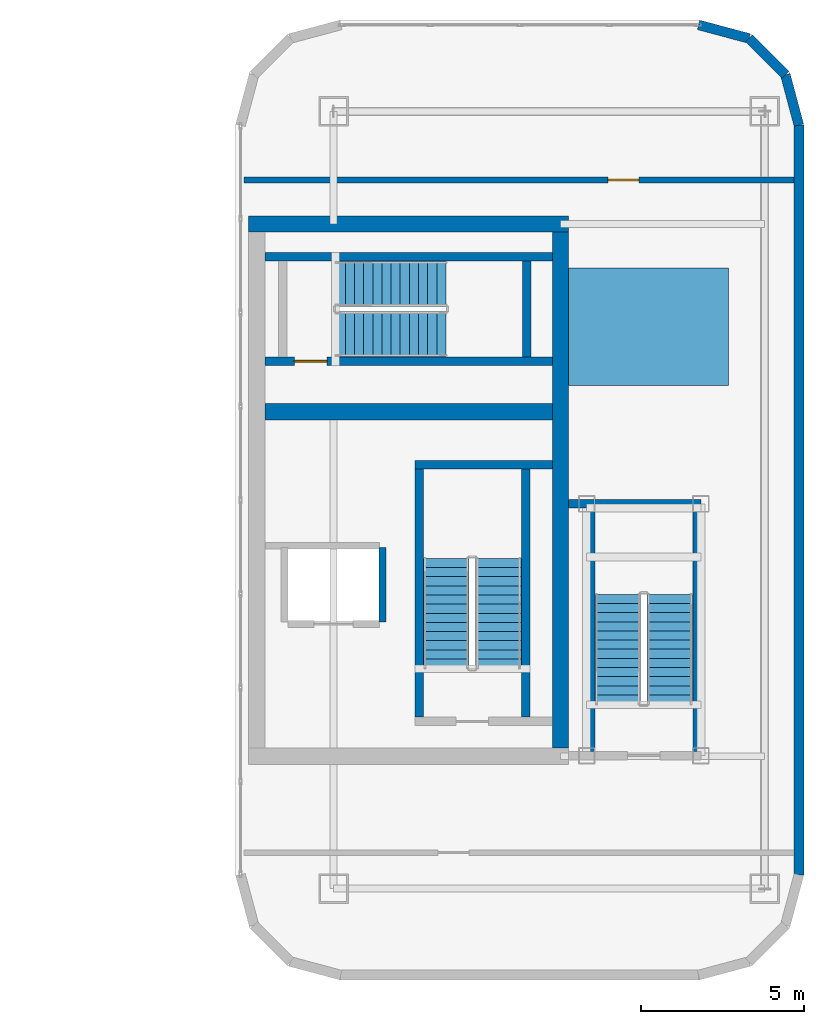
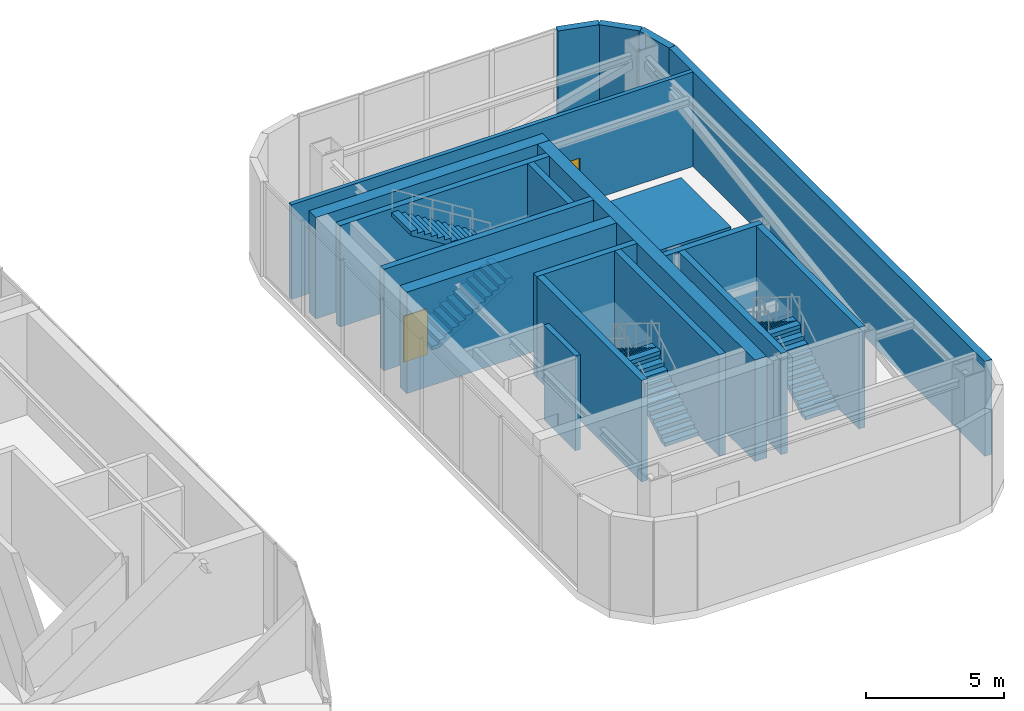
# One storey, part 12 of 13: 18 walls, 6 stair flights, 2 doors, 1 discrete accessory, 2 openings, 3 elements without a shape of their own.
"""IFC4 building model written with IfcOpenShell, lengths in metres."""

import ifcopenshell
import ifcopenshell.guid

model = None  # the IFC model being written
_history = None  # IfcOwnerHistory: only IFC2X3 demands one
_inside = {}  # id of a spatial element -> (the spatial element, [elements in it])
_under = {}  # id of a project, library or spatial element -> (it, [spatial elements below it])
_declared = {}  # id of a project -> (the project, [libraries it declares])
_typed = {}  # id of a type object -> (the type object, [elements of that type])
_made_of = {}  # id of a material, layer set ... -> (it, [elements and type objects made of it])


def new_model(schema):
    """Start an empty IFC model of exactly this schema.

    Asked for "IFC4X3", IfcOpenShell would pick the latest addendum, in which some entities
    have other attributes; the version numbers below select the first issue.
    IFC2X3 requires an IfcOwnerHistory on every rooted entity: one is made here for all.
    """
    global model, _history
    if schema == "IFC4X3":
        model = ifcopenshell.file(schema_version=(4, 3, 0, 0))
    else:
        model = ifcopenshell.file(schema=schema)
    _inside.clear()
    _under.clear()
    _declared.clear()
    _typed.clear()
    _made_of.clear()
    _history = None
    if model.schema == "IFC2X3":
        org = make("IfcOrganization", Name="unknown")
        user = make(
            "IfcPersonAndOrganization",
            ThePerson=make("IfcPerson", FamilyName="unknown"),
            TheOrganization=org,
        )
        app = make(
            "IfcApplication",
            ApplicationDeveloper=org,
            Version="unknown",
            ApplicationFullName="unknown",
            ApplicationIdentifier="unknown",
        )
        _history = make(
            "IfcOwnerHistory",
            OwningUser=user,
            OwningApplication=app,
            ChangeAction="ADDED",
            CreationDate=0,
        )
    return model


def make(cls, **values):
    """One entity of the class cls with the attributes given. An attribute that is None is left unset."""
    return model.create_entity(
        cls, **{name: value for name, value in values.items() if value is not None}
    )


def rooted(cls, **values):
    """An entity with a GlobalId (a new one), such as an element, a storey or a relation."""
    return make(cls, GlobalId=ifcopenshell.guid.new(), OwnerHistory=_history, **values)


def si_unit(unit_type, name, prefix=None):
    """IfcSIUnit, for example si_unit("LENGTHUNIT", "METRE", prefix="MILLI")."""
    return make("IfcSIUnit", UnitType=unit_type, Prefix=prefix, Name=name)


def assignment(units):
    """IfcUnitAssignment: the units of a project."""
    return None if units is None else make("IfcUnitAssignment", Units=units)


def point(xyz):
    """IfcCartesianPoint."""
    return None if xyz is None else make("IfcCartesianPoint", Coordinates=xyz)


def direction(xyz):
    """IfcDirection."""
    return None if xyz is None else make("IfcDirection", DirectionRatios=xyz)


def frame(location, z_axis=None, x_axis=None):
    """IfcAxis2Placement3D, a coordinate frame: its origin and axes. An axis left out is left unset."""
    return make(
        "IfcAxis2Placement3D",
        Location=point(location),
        Axis=direction(z_axis),
        RefDirection=direction(x_axis),
    )


def frame_2d(location, x_axis=None):
    """IfcAxis2Placement2D, a coordinate frame in the plane: its origin and x axis."""
    return make(
        "IfcAxis2Placement2D", Location=point(location), RefDirection=direction(x_axis)
    )


def origin():
    """The frame at (0, 0, 0) with its axes left unset."""
    return frame((0.0, 0.0, 0.0))


def origin_2d():
    """The frame at (0, 0) in the plane with its x axis left unset."""
    return frame_2d((0.0, 0.0))


def place(relative_to, where):
    """IfcLocalPlacement: puts the frame where relative to a parent placement (None: the world)."""
    return make(
        "IfcLocalPlacement", PlacementRelTo=relative_to, RelativePlacement=where
    )


def context(
    kind, dimensions, precision=None, world=None, true_north=None, identifier=None
):
    """IfcGeometricRepresentationContext, for example the 3D "Model" context."""
    return make(
        "IfcGeometricRepresentationContext",
        ContextIdentifier=identifier,
        ContextType=kind,
        CoordinateSpaceDimension=dimensions,
        Precision=precision,
        WorldCoordinateSystem=world,
        TrueNorth=true_north,
    )


def subcontext(parent, identifier, kind, view, scale=None):
    """IfcGeometricRepresentationSubContext, for example "Body" below "Model"."""
    return make(
        "IfcGeometricRepresentationSubContext",
        ContextIdentifier=identifier,
        ContextType=kind,
        ParentContext=parent,
        TargetScale=scale,
        TargetView=view,
    )


def project(units=None, contexts=None):
    """IfcProject with its units and contexts."""
    return rooted(
        "IfcProject",
        Name="project",
        RepresentationContexts=contexts,
        UnitsInContext=assignment(units),
    )


def spatial(cls, under=None, at=None, **own):
    """A site, building, storey or space (cls), placed at a placement, below another one or the project."""
    s = rooted(cls, ObjectPlacement=at, **own)
    if under is not None:
        _under.setdefault(under.id(), (under, []))[1].append(s)
    return s


def polyline(points):
    """IfcPolyline through the points."""
    return make("IfcPolyline", Points=[point(p) for p in points])


def profile(cls, at=None, kind="AREA", **sizes):
    """A parametric profile (cls). Its sizes go by their IFC names, for example OverallWidth=200.0."""
    return make(cls, ProfileType=kind, Position=at, **sizes)


def rectangle(**sizes):
    """IfcRectangleProfileDef."""
    return profile("IfcRectangleProfileDef", **sizes)


def outline(outer, holes=None, kind="AREA"):
    """IfcArbitraryClosedProfileDef: a profile drawn as a closed curve; with holes, ...WithVoids."""
    if holes is None:
        return make("IfcArbitraryClosedProfileDef", ProfileType=kind, OuterCurve=outer)
    return make(
        "IfcArbitraryProfileDefWithVoids",
        ProfileType=kind,
        OuterCurve=outer,
        InnerCurves=holes,
    )


def extrude(swept, where, along, depth):
    """IfcExtrudedAreaSolid: the profile swept, set in the frame where, extruded along a direction by depth."""
    return make(
        "IfcExtrudedAreaSolid",
        SweptArea=swept,
        Position=where,
        ExtrudedDirection=direction(along),
        Depth=depth,
    )


def shape(context_of_items, identifier, shape_type, items):
    """IfcShapeRepresentation: the items that make up one representation, for example the "Body"."""
    return make(
        "IfcShapeRepresentation",
        ContextOfItems=context_of_items,
        RepresentationIdentifier=identifier,
        RepresentationType=shape_type,
        Items=items,
    )


def material(Name=None, Category=None):
    """IfcMaterial."""
    return make("IfcMaterial", Name=Name, Category=Category)


def layer(
    of_material, thickness, ventilated=None, Name=None, Category=None, Priority=None
):
    """IfcMaterialLayer: one layer of a wall or slab, of a material (None: an air gap)."""
    return make(
        "IfcMaterialLayer",
        Material=of_material,
        LayerThickness=thickness,
        IsVentilated=ventilated,
        Name=Name,
        Category=Category,
        Priority=Priority,
    )


def layer_set(layers, Name=None):
    """IfcMaterialLayerSet."""
    return make("IfcMaterialLayerSet", MaterialLayers=layers, LayerSetName=Name)


def made_of(thing, what):
    """Note that an element or type object is made of a material, layer set ...; save() writes the relation."""
    if what is not None:
        _made_of.setdefault(what.id(), (what, []))[1].append(thing)
    return thing


def type_object(cls, material=None, **own):
    """A type object (cls), such as IfcWallType, which elements share."""
    return made_of(rooted(cls, **own), material)


def element(
    cls,
    number,
    at=None,
    inside=None,
    cuts=None,
    type_object=None,
    material=None,
    context=None,
    identifier="Body",
    shape_type=None,
    held_by="IfcProductDefinitionShape",
    body=None,
    shapes=None,
    **own,
):
    """One element of the class cls, such as IfcWall. Its Tag is "e" and its number.

    at: its placement. inside: the storey or other place that contains it. cuts: it is an
    opening in that element (IfcRelVoidsElement). A single representation is given by context,
    identifier, shape_type and body (its items); several are given by shapes. held_by: the class
    of the entity that holds the representations. save() writes the other relations.
    """
    e = rooted(cls, Tag="e%d" % number, ObjectPlacement=at, **own)
    if body is not None:
        shapes = [shape(context, identifier, shape_type, body)]
    if shapes is not None:
        e.Representation = make(held_by, Representations=shapes)
    if inside is not None:
        _inside.setdefault(inside.id(), (inside, []))[1].append(e)
    if cuts is not None:
        rooted(
            "IfcRelVoidsElement", RelatingBuildingElement=cuts, RelatedOpeningElement=e
        )
    if type_object is not None:
        _typed.setdefault(type_object.id(), (type_object, []))[1].append(e)
    return made_of(e, material)


def fill(opening, filler):
    """IfcRelFillsElement: the door or window that sits in an opening."""
    return rooted(
        "IfcRelFillsElement",
        RelatingOpeningElement=opening,
        RelatedBuildingElement=filler,
    )


def aggregate(whole, parts):
    """IfcRelAggregates: a whole, such as a stair, and the parts it consists of."""
    return rooted("IfcRelAggregates", RelatingObject=whole, RelatedObjects=parts)


def save(model, path):
    """Write the relations noted so far, then the file.

    IfcRelAggregates (storeys below a building ...), IfcRelContainedInSpatialStructure (elements
    in a storey), IfcRelDefinesByType, IfcRelAssociatesMaterial and IfcRelDeclares: one each for
    every whole, place, type object, material and project.
    """
    for whole, parts in _under.values():
        aggregate(whole, parts)
    for where, things in _inside.values():
        rooted(
            "IfcRelContainedInSpatialStructure",
            RelatedElements=things,
            RelatingStructure=where,
        )
    for kind, things in _typed.values():
        rooted("IfcRelDefinesByType", RelatedObjects=things, RelatingType=kind)
    for what, things in _made_of.values():
        rooted("IfcRelAssociatesMaterial", RelatedObjects=things, RelatingMaterial=what)
    for by, libraries in _declared.values():
        rooted("IfcRelDeclares", RelatingContext=by, RelatedDefinitions=libraries)
    model.write(path)


model = new_model("IFC4")

# Units and contexts
model_context = context("Model", 3, precision=1e-05, world=origin(), true_north=direction((0.0, 1.0)))
body_context = subcontext(model_context, "Body", "Model", "MODEL_VIEW")
ifc_project = project(units=[si_unit("LENGTHUNIT", "METRE"), si_unit("AREAUNIT", "SQUARE_METRE"), si_unit("VOLUMEUNIT", "CUBIC_METRE"), si_unit("PLANEANGLEUNIT", "RADIAN"), si_unit("MASSUNIT", "GRAM", prefix="KILO")], contexts=[model_context])

# Site, building, storey
site_placement = place(None, origin())
site = spatial("IfcSite", under=ifc_project, at=site_placement, CompositionType="ELEMENT")
building_placement = place(site_placement, origin())
building = spatial("IfcBuilding", under=site, at=building_placement, Name="Kiyonajd Concourse Tower", CompositionType="ELEMENT")
storey_placement = place(building_placement, frame((0.0, 0.0, 363.89990234375)))
storey = spatial("IfcBuildingStorey", under=building, at=storey_placement, Name="L91", CompositionType="ELEMENT", Elevation=363.89990234375)

# Walls
ifc_material_1 = material(Name="Concrete C60/75", Category="concrete")
ifc_layer_1 = layer(ifc_material_1, 0.5)
ifc_layer_set_1 = layer_set([ifc_layer_1], Name="Concrete C60/75")
wall_type_1 = type_object("IfcWallType", Name="WL-CORE-500", PredefinedType="SHEAR", material=ifc_layer_set_1)
wall_1_placement = place(storey_placement, frame((63.35009765625, 28.10009765625, 0.0), z_axis=(0.0, 0.0, 1.0), x_axis=(0.0, 1.0, 0.0)))
element("IfcWall", 1, at=wall_1_placement, inside=storey, type_object=wall_type_1, Name="L91 East Crown Outer Core Wall", PredefinedType="SHEAR", context=body_context, shape_type="SweptSolid", body=[
    extrude(rectangle(XDim=15.7998046875, YDim=0.5, at=frame_2d((7.89990234375, 0.0))), origin(), (0.0, 0.0, 1.0), 4.5),
])
wall_2_placement = place(storey_placement, frame((53.800048828125, 44.14990234375, 0.0), z_axis=(0.0, 0.0, 1.0), x_axis=(1.0, 0.0, 0.0)))
element("IfcWall", 2, at=wall_2_placement, inside=storey, type_object=wall_type_1, Name="L91 East Crown North Core Wall", PredefinedType="SHEAR", context=body_context, shape_type="SweptSolid", body=[
    extrude(rectangle(XDim=9.800048828125, YDim=0.5, at=frame_2d((4.89990234375, 0.0))), origin(), (0.0, 0.0, 1.0), 4.5),
])
wall_3_placement = place(storey_placement, frame((54.300048828125, 38.39990234375, 0.0), z_axis=(0.0, 0.0, 1.0), x_axis=(1.0, 0.0, 0.0)))
element("IfcWall", 3, at=wall_3_placement, inside=storey, type_object=wall_type_1, Name="L91 East Crown Mast Cross Shear Wall", PredefinedType="SHEAR", context=body_context, shape_type="SweptSolid", body=[
    extrude(rectangle(XDim=8.800048828125, YDim=0.5, at=frame_2d((4.39990234375, 0.0))), origin(), (0.0, 0.0, 1.0), 4.5),
])
ifc_material_2 = material(Name="Precast concrete C50/60", Category="concrete")
ifc_layer_2 = layer(ifc_material_2, 0.300048828125)
ifc_layer_set_2 = layer_set([ifc_layer_2], Name="Precast concrete C50/60")
wall_type_2 = type_object("IfcWallType", Name="WL-CRN-300", PredefinedType="SOLIDWALL", material=ifc_layer_set_2)
wall_4_placement = place(storey_placement, frame((67.580078125, 50.25, 0.0), z_axis=(0.0, 0.0, 1.0), x_axis=(0.96587363116, -0.259013761467, 0.0)))
element("IfcWall", 4, at=wall_4_placement, inside=storey, type_object=wall_type_2, Name="L91 E Crown Enclosure Wall 06", PredefinedType="SOLIDWALL", context=body_context, shape_type="SweptSolid", body=[
    extrude(rectangle(XDim=1.5966796875, YDim=0.300048828125, at=frame_2d((0.79833984375, 0.0))), origin(), (0.0, 0.0, 1.0), 4.2001953125),
])
wall_5_placement = place(storey_placement, frame((69.122314453125, 49.83642578125, 0.0), z_axis=(0.0, 0.0, 1.0), x_axis=(0.707184251115, -0.707029302769, 0.0)))
element("IfcWall", 5, at=wall_5_placement, inside=storey, type_object=wall_type_2, Name="L91 E Crown Enclosure Wall 07", PredefinedType="SOLIDWALL", context=body_context, shape_type="SweptSolid", body=[
    extrude(rectangle(XDim=1.57568359375, YDim=0.300048828125, at=frame_2d((0.787841796875, 0.0))), origin(), (0.0, 0.0, 1.0), 4.2001953125),
])
wall_6_placement = place(storey_placement, frame((70.236572265625, 48.722412109375, 0.0), z_axis=(0.0, 0.0, 1.0), x_axis=(0.258871110129, -0.965911874003, 0.0)))
element("IfcWall", 6, at=wall_6_placement, inside=storey, type_object=wall_type_2, Name="L91 E Crown Enclosure Wall 08", PredefinedType="SOLIDWALL", context=body_context, shape_type="SweptSolid", body=[
    extrude(rectangle(XDim=1.5966796875, YDim=0.300048828125, at=frame_2d((0.79833984375, 0.0))), origin(), (0.0, 0.0, 1.0), 4.2001953125),
])
wall_7_placement = place(storey_placement, frame((70.64990234375, 47.18017578125, 0.0), z_axis=(0.0, 0.0, 1.0), x_axis=(0.0, -1.0, 0.0)))
element("IfcWall", 7, at=wall_7_placement, inside=storey, type_object=wall_type_2, Name="L91 E Crown Enclosure Wall 09", PredefinedType="SOLIDWALL", context=body_context, shape_type="SweptSolid", body=[
    extrude(rectangle(XDim=22.96044921875, YDim=0.300048828125, at=frame_2d((11.480224609375, 0.0))), origin(), (0.0, 0.0, 1.0), 4.2001953125),
])
ifc_material_3 = material(Name="Gypsum Board on Cold-Formed Steel Stud", Category="steel")
ifc_layer_3 = layer(ifc_material_3, 0.2099609375)
ifc_layer_set_3 = layer_set([ifc_layer_3], Name="Gypsum Board on Cold-Formed Steel Stud")
wall_type_3 = type_object("IfcWallType", Name="WL-SHAFT-210", PredefinedType="PARTITIONING", material=ifc_layer_set_3)
wall_8_placement = place(storey_placement, frame((57.89990234375, 31.9599609375, 0.0), z_axis=(0.0, 0.0, 1.0), x_axis=(0.0, 1.0, 0.0)))
element("IfcWall", 8, at=wall_8_placement, inside=storey, type_object=wall_type_3, Name="L91 Shaft Enclosure Wall", PredefinedType="PARTITIONING", context=body_context, shape_type="SweptSolid", body=[
    extrude(rectangle(XDim=2.280029296875, YDim=0.2099609375, at=frame_2d((1.14013671875, 0.0))), origin(), (0.0, 0.0, 1.0), 4.2001953125),
])

# Wall, opening, door
ifc_layer_4 = layer(ifc_material_3, 0.169921875)
ifc_layer_set_4 = layer_set([ifc_layer_4], Name="Gypsum Board on Cold-Formed Steel Stud")
wall_type_4 = type_object("IfcWallType", Name="WL-SMK-170", PredefinedType="PARTITIONING", material=ifc_layer_set_4)
wall_9_placement = place(storey_placement, frame((53.655029296875, 45.5, 0.0), z_axis=(0.0, 0.0, 1.0), x_axis=(1.0, 0.0, 0.0)))
wall_9 = element("IfcWall", 9, at=wall_9_placement, inside=storey, type_object=wall_type_4, Name="L91 Interior Partition Wall", PredefinedType="PARTITIONING", context=body_context, shape_type="SweptSolid", body=[
    extrude(rectangle(XDim=16.849853515625, YDim=0.169921875, at=frame_2d((8.4248046875, 0.0))), origin(), (0.0, 0.0, 1.0), 4.2001953125),
])
opening_1_placement = place(wall_9_placement, frame((11.14501953125, 0.0, 0.0)))
opening_1 = element("IfcOpeningElement", 10, at=opening_1_placement, cuts=wall_9, Name="Opening DF3", PredefinedType="OPENING", context=body_context, shape_type="SweptSolid", body=[
    extrude(rectangle(XDim=0.949951171875, YDim=2.0400390625, at=frame_2d((0.47509765625, 1.02001953125))), frame((0.0, 0.094970703125, 0.0), z_axis=(0.0, -1.0, 0.0), x_axis=(1.0, 0.0, 0.0)), (0.0, 0.0, 1.0), 0.18994140625),
])
ifc_material_4 = material(Name="Brushed Stainless Steel Cab Assembly", Category="steel")
door_type_1 = type_object("IfcDoorType", Name="DR-FD60-950", OperationType="NOTDEFINED", PredefinedType="DOOR", material=ifc_material_4)
door_1_placement = place(opening_1_placement, origin())
door_1 = element("IfcDoor", 11, at=door_1_placement, inside=storey, type_object=door_type_1, Name="L91 Interior Door", OperationType="SINGLE_SWING_LEFT", OverallHeight=2.0400390625, OverallWidth=0.949951171875, PredefinedType="DOOR", context=body_context, shape_type="SweptSolid", body=[
    extrude(rectangle(XDim=0.949951171875, YDim=2.0400390625, at=frame_2d((0.47509765625, 1.02001953125))), frame((0.0, 0.02490234375, 0.0), z_axis=(0.0, -1.0, 0.0), x_axis=(1.0, 0.0, 0.0)), (0.0, 0.0, 1.0), 0.050048828125),
])
fill(opening_1, door_1)

# Walls
ifc_material_5 = material(Name="Concrete C50/60", Category="concrete")
ifc_layer_5 = layer(ifc_material_5, 0.260009765625)
ifc_layer_set_5 = layer_set([ifc_layer_5], Name="Concrete C50/60")
wall_type_5 = type_object("IfcWallType", Name="WL-STAIR-260", PredefinedType="SHEAR", material=ifc_layer_set_5)
wall_10_placement = place(storey_placement, frame((58.889892578125, 36.780029296875, 0.0), z_axis=(0.0, 0.0, 1.0), x_axis=(1.0, 0.0, 0.0)))
element("IfcWall", 12, at=wall_10_placement, inside=storey, type_object=wall_type_5, Name="L91 Stair ST2 Structural North Wall", PredefinedType="SHEAR", context=body_context, shape_type="SweptSolid", body=[
    extrude(rectangle(XDim=4.210205078125, YDim=0.260009765625, at=frame_2d((2.10498046875, 0.0))), origin(), (0.0, 0.0, 1.0), 4.5),
])
for number, where, z_axis, x_axis, name in (
    (13, (59.02001953125, 29.050048828125, 0.0), (0.0, 0.0, 1.0), (0.0, 1.0, 0.0), "L91 Stair ST2 Structural West Wall"),
    (14, (62.280029296875, 29.050048828125, 0.0), (0.0, 0.0, 1.0), (0.0, 1.0, 0.0), "L91 Stair ST2 Structural East Wall"),
):
    element("IfcWall", number, at=place(storey_placement, frame(where, z_axis=z_axis, x_axis=x_axis)), inside=storey, type_object=wall_type_5, Name=name, PredefinedType="SHEAR", context=body_context, shape_type="SweptSolid", body=[
        extrude(rectangle(XDim=7.599853515625, YDim=0.260009765625, at=frame_2d((3.7998046875, 0.0))), origin(), (0.0, 0.0, 1.0), 4.5),
    ])

# Wall, opening, door
wall_11_placement = place(storey_placement, frame((54.300048828125, 39.949951171875, 0.0), z_axis=(0.0, 0.0, 1.0), x_axis=(1.0, 0.0, 0.0)))
wall_11 = element("IfcWall", 15, at=wall_11_placement, inside=storey, type_object=wall_type_5, Name="L91 Stair ST3 Structural South Wall", PredefinedType="SHEAR", context=body_context, shape_type="SweptSolid", body=[
    extrude(rectangle(XDim=8.800048828125, YDim=0.260009765625, at=frame_2d((4.39990234375, 0.0))), origin(), (0.0, 0.0, 1.0), 4.5),
])
opening_2_placement = place(wall_11_placement, frame((0.89990234375, 0.0, 0.0)))
opening_2 = element("IfcOpeningElement", 16, at=opening_2_placement, cuts=wall_11, Name="Opening DF1", PredefinedType="OPENING", context=body_context, shape_type="SweptSolid", body=[
    extrude(rectangle(XDim=1.0, YDim=2.0400390625, at=frame_2d((0.5, 1.02001953125))), frame((0.0, 0.139892578125, 0.0), z_axis=(0.0, -1.0, 0.0), x_axis=(1.0, 0.0, 0.0)), (0.0, 0.0, 1.0), 0.280029296875),
])
door_type_2 = type_object("IfcDoorType", Name="DR-FD90-1000", OperationType="NOTDEFINED", PredefinedType="DOOR", material=ifc_material_4)
door_2_placement = place(opening_2_placement, origin())
door_2 = element("IfcDoor", 17, at=door_2_placement, inside=storey, type_object=door_type_2, Name="L91 Stair ST3 Enclosure Door", OperationType="SINGLE_SWING_LEFT", OverallHeight=2.0400390625, OverallWidth=1.0, PredefinedType="DOOR", context=body_context, shape_type="SweptSolid", body=[
    extrude(rectangle(XDim=1.0, YDim=2.0400390625, at=frame_2d((0.5, 1.02001953125))), frame((0.0, 0.02490234375, 0.0), z_axis=(0.0, -1.0, 0.0), x_axis=(1.0, 0.0, 0.0)), (0.0, 0.0, 1.0), 0.050048828125),
])
fill(opening_2, door_2)

# Walls
wall_12_placement = place(storey_placement, frame((54.300048828125, 43.14990234375, 0.0), z_axis=(0.0, 0.0, 1.0), x_axis=(1.0, 0.0, 0.0)))
element("IfcWall", 18, at=wall_12_placement, inside=storey, type_object=wall_type_5, Name="L91 Stair ST3 Structural North Wall", PredefinedType="SHEAR", context=body_context, shape_type="SweptSolid", body=[
    extrude(rectangle(XDim=8.800048828125, YDim=0.260009765625, at=frame_2d((4.39990234375, 0.0))), origin(), (0.0, 0.0, 1.0), 4.5),
])
wall_13_placement = place(storey_placement, frame((62.31005859375, 40.080078125, 0.0), z_axis=(0.0, 0.0, 1.0), x_axis=(0.0, 1.0, 0.0)))
element("IfcWall", 19, at=wall_13_placement, inside=storey, type_object=wall_type_5, Name="L91 Stair ST3 Structural East Wall", PredefinedType="SHEAR", context=body_context, shape_type="SweptSolid", body=[
    extrude(rectangle(XDim=2.93994140625, YDim=0.260009765625, at=frame_2d((1.469970703125, 0.0))), origin(), (0.0, 0.0, 1.0), 4.5),
])
wall_14_placement = place(storey_placement, frame((63.60009765625, 35.580078125, 0.0), z_axis=(0.0, 0.0, 1.0), x_axis=(1.0, 0.0, 0.0)))
element("IfcWall", 20, at=wall_14_placement, inside=storey, type_object=wall_type_5, Name="L91 Stair ST6 Structural North Wall", PredefinedType="SHEAR", context=body_context, shape_type="SweptSolid", body=[
    extrude(rectangle(XDim=4.059814453125, YDim=0.260009765625, at=frame_2d((2.02978515625, 0.0))), origin(), (0.0, 0.0, 1.0), 4.5),
])
for number, where, z_axis, x_axis, name in (
    (21, (64.27001953125, 28.0, 0.0), (0.0, 0.0, 1.0), (0.0, 1.0, 0.0), "L91 Stair ST6 Structural West Wall"),
    (22, (67.530029296875, 28.0, 0.0), (0.0, 0.0, 1.0), (0.0, 1.0, 0.0), "L91 Stair ST6 Structural East Wall"),
):
    element("IfcWall", number, at=place(storey_placement, frame(where, z_axis=z_axis, x_axis=x_axis)), inside=storey, type_object=wall_type_5, Name=name, PredefinedType="SHEAR", context=body_context, shape_type="SweptSolid", body=[
        extrude(rectangle(XDim=7.449951171875, YDim=0.260009765625, at=frame_2d((3.72509765625, 0.0))), origin(), (0.0, 0.0, 1.0), 4.5),
    ])

# Stair, stair flights
ifc_material_6 = material(Name="Concrete C40/50", Category="concrete")
stair_type = type_object("IfcStairType", Name="ST-DLG-26R", PredefinedType="HALF_TURN_STAIR", material=ifc_material_6)
stair_1_placement = place(storey_placement, origin())
stair_1 = element("IfcStair", 23, at=stair_1_placement, inside=storey, type_object=stair_type, Name="L91 Protected Exit Stair ST2", PredefinedType="HALF_TURN_STAIR")
stair_flight_type = type_object("IfcStairFlightType", Name="SF-STR-26R", PredefinedType="STRAIGHT", material=ifc_material_6)
stair_flight_1_placement = place(storey_placement, frame((61.449951171875, 30.550048828125, 0.0), z_axis=(0.0, 0.0, 1.0), x_axis=(0.0, 1.0, 0.0)))
stair_flight_1 = element("IfcStairFlight", 24, at=stair_flight_1_placement, type_object=stair_flight_type, Name="ST2 flight 1", NumberOfRisers=13, NumberOfTreads=12, PredefinedType="STRAIGHT", RiserHeight=0.173076923, TreadLength=0.28, context=body_context, shape_type="SweptSolid", body=[
    extrude(outline(polyline([(0.0, 0.0), (0.0, 0.173095703125), (0.280029296875, 0.173095703125), (0.280029296875, 0.34619140625), (0.56005859375, 0.34619140625), (0.56005859375, 0.519287109375), (0.840087890625, 0.519287109375), (0.840087890625, 0.6923828125), (1.1201171875, 0.6923828125), (1.1201171875, 0.865478515625), (1.39990234375, 0.865478515625), (1.39990234375, 1.03857421875), (1.679931640625, 1.03857421875), (1.679931640625, 1.21142578125), (1.9599609375, 1.21142578125), (1.9599609375, 1.384521484375), (2.239990234375, 1.384521484375), (2.239990234375, 1.5576171875), (2.52001953125, 1.5576171875), (2.52001953125, 1.730712890625), (2.800048828125, 1.730712890625), (2.800048828125, 1.90380859375), (3.080078125, 1.90380859375), (3.080078125, 2.076904296875), (3.360107421875, 2.076904296875), (3.360107421875, 2.25), (3.360107421875, 1.900634765625), (0.28515625, 0.0), (0.0, 0.0)])), frame((0.0, 0.699951171875, 0.0), z_axis=(0.0, -1.0, 0.0), x_axis=(1.0, 0.0, 0.0)), (0.0, 0.0, 1.0), 1.39990234375),
])
stair_flight_2_placement = place(storey_placement, frame((59.85009765625, 33.909912109375, 2.25), z_axis=(0.0, 0.0, 1.0), x_axis=(0.0, -1.0, 0.0)))
stair_flight_2 = element("IfcStairFlight", 25, at=stair_flight_2_placement, type_object=stair_flight_type, Name="ST2 flight 2", NumberOfRisers=13, NumberOfTreads=12, PredefinedType="STRAIGHT", RiserHeight=0.173076923, TreadLength=0.28, context=body_context, shape_type="SweptSolid", body=[
    extrude(outline(polyline([(0.0, 0.0), (0.0, 0.173095703125), (0.280029296875, 0.173095703125), (0.280029296875, 0.34619140625), (0.56005859375, 0.34619140625), (0.56005859375, 0.519287109375), (0.840087890625, 0.519287109375), (0.840087890625, 0.6923828125), (1.1201171875, 0.6923828125), (1.1201171875, 0.865478515625), (1.39990234375, 0.865478515625), (1.39990234375, 1.03857421875), (1.679931640625, 1.03857421875), (1.679931640625, 1.21142578125), (1.9599609375, 1.21142578125), (1.9599609375, 1.384521484375), (2.239990234375, 1.384521484375), (2.239990234375, 1.5576171875), (2.52001953125, 1.5576171875), (2.52001953125, 1.730712890625), (2.800048828125, 1.730712890625), (2.800048828125, 1.90380859375), (3.080078125, 1.90380859375), (3.080078125, 2.076904296875), (3.360107421875, 2.076904296875), (3.360107421875, 2.25), (3.360107421875, 1.900634765625), (0.28515625, 0.0), (0.0, 0.0)])), frame((0.0, 0.699951171875, 0.0), z_axis=(0.0, -1.0, 0.0), x_axis=(1.0, 0.0, 0.0)), (0.0, 0.0, 1.0), 1.39990234375),
])
aggregate(stair_1, [stair_flight_1, stair_flight_2])

stair_2_placement = place(storey_placement, origin())
stair_2 = element("IfcStair", 26, at=stair_2_placement, inside=storey, type_object=stair_type, Name="L91 Protected Exit Stair ST3", PredefinedType="HALF_TURN_STAIR")
stair_flight_3_placement = place(storey_placement, frame((56.47998046875, 40.780029296875, 0.0), z_axis=(0.0, 0.0, 1.0), x_axis=(1.0, 0.0, 0.0)))
stair_flight_3 = element("IfcStairFlight", 27, at=stair_flight_3_placement, type_object=stair_flight_type, Name="ST3 flight 1", NumberOfRisers=13, NumberOfTreads=12, PredefinedType="STRAIGHT", RiserHeight=0.173076923, TreadLength=0.28, context=body_context, shape_type="SweptSolid", body=[
    extrude(outline(polyline([(0.0, 0.0), (0.0, 0.173095703125), (0.280029296875, 0.173095703125), (0.280029296875, 0.34619140625), (0.56005859375, 0.34619140625), (0.56005859375, 0.519287109375), (0.840087890625, 0.519287109375), (0.840087890625, 0.6923828125), (1.1201171875, 0.6923828125), (1.1201171875, 0.865478515625), (1.39990234375, 0.865478515625), (1.39990234375, 1.03857421875), (1.679931640625, 1.03857421875), (1.679931640625, 1.21142578125), (1.9599609375, 1.21142578125), (1.9599609375, 1.384521484375), (2.239990234375, 1.384521484375), (2.239990234375, 1.5576171875), (2.52001953125, 1.5576171875), (2.52001953125, 1.730712890625), (2.800048828125, 1.730712890625), (2.800048828125, 1.90380859375), (3.080078125, 1.90380859375), (3.080078125, 2.076904296875), (3.360107421875, 2.076904296875), (3.360107421875, 2.25), (3.360107421875, 1.900634765625), (0.28515625, 0.0), (0.0, 0.0)])), frame((0.0, 0.699951171875, 0.0), z_axis=(0.0, -1.0, 0.0), x_axis=(1.0, 0.0, 0.0)), (0.0, 0.0, 1.0), 1.39990234375),
])
stair_flight_4_placement = place(storey_placement, frame((59.840087890625, 42.320068359375, 2.25), z_axis=(0.0, 0.0, 1.0), x_axis=(-1.0, 0.0, 0.0)))
stair_flight_4 = element("IfcStairFlight", 28, at=stair_flight_4_placement, type_object=stair_flight_type, Name="ST3 flight 2", NumberOfRisers=13, NumberOfTreads=12, PredefinedType="STRAIGHT", RiserHeight=0.173076923, TreadLength=0.28, context=body_context, shape_type="SweptSolid", body=[
    extrude(outline(polyline([(0.0, 0.0), (0.0, 0.173095703125), (0.280029296875, 0.173095703125), (0.280029296875, 0.34619140625), (0.56005859375, 0.34619140625), (0.56005859375, 0.519287109375), (0.840087890625, 0.519287109375), (0.840087890625, 0.6923828125), (1.1201171875, 0.6923828125), (1.1201171875, 0.865478515625), (1.39990234375, 0.865478515625), (1.39990234375, 1.03857421875), (1.679931640625, 1.03857421875), (1.679931640625, 1.21142578125), (1.9599609375, 1.21142578125), (1.9599609375, 1.384521484375), (2.239990234375, 1.384521484375), (2.239990234375, 1.5576171875), (2.52001953125, 1.5576171875), (2.52001953125, 1.730712890625), (2.800048828125, 1.730712890625), (2.800048828125, 1.90380859375), (3.080078125, 1.90380859375), (3.080078125, 2.076904296875), (3.360107421875, 2.076904296875), (3.360107421875, 2.25), (3.360107421875, 1.900634765625), (0.28515625, 0.0), (0.0, 0.0)])), frame((0.0, 0.699951171875, 0.0), z_axis=(0.0, -1.0, 0.0), x_axis=(1.0, 0.0, 0.0)), (0.0, 0.0, 1.0), 1.39990234375),
])
aggregate(stair_2, [stair_flight_3, stair_flight_4])

stair_3_placement = place(storey_placement, origin())
stair_3 = element("IfcStair", 29, at=stair_3_placement, inside=storey, type_object=stair_type, Name="L91 East Crown Maintenance Stair ST6", PredefinedType="HALF_TURN_STAIR")
stair_flight_5_placement = place(storey_placement, frame((66.699951171875, 29.449951171875, 0.0), z_axis=(0.0, 0.0, 1.0), x_axis=(0.0, 1.0, 0.0)))
stair_flight_5 = element("IfcStairFlight", 30, at=stair_flight_5_placement, type_object=stair_flight_type, Name="ST6 flight 1", NumberOfRisers=13, NumberOfTreads=12, PredefinedType="STRAIGHT", RiserHeight=0.173076923, TreadLength=0.28, context=body_context, shape_type="SweptSolid", body=[
    extrude(outline(polyline([(0.0, 0.0), (0.0, 0.173095703125), (0.280029296875, 0.173095703125), (0.280029296875, 0.34619140625), (0.56005859375, 0.34619140625), (0.56005859375, 0.519287109375), (0.840087890625, 0.519287109375), (0.840087890625, 0.6923828125), (1.1201171875, 0.6923828125), (1.1201171875, 0.865478515625), (1.39990234375, 0.865478515625), (1.39990234375, 1.03857421875), (1.679931640625, 1.03857421875), (1.679931640625, 1.21142578125), (1.9599609375, 1.21142578125), (1.9599609375, 1.384521484375), (2.239990234375, 1.384521484375), (2.239990234375, 1.5576171875), (2.52001953125, 1.5576171875), (2.52001953125, 1.730712890625), (2.800048828125, 1.730712890625), (2.800048828125, 1.90380859375), (3.080078125, 1.90380859375), (3.080078125, 2.076904296875), (3.360107421875, 2.076904296875), (3.360107421875, 2.25), (3.360107421875, 1.900634765625), (0.28515625, 0.0), (0.0, 0.0)])), frame((0.0, 0.699951171875, 0.0), z_axis=(0.0, -1.0, 0.0), x_axis=(1.0, 0.0, 0.0)), (0.0, 0.0, 1.0), 1.39990234375),
])
stair_flight_6_placement = place(storey_placement, frame((65.10009765625, 32.81005859375, 2.25), z_axis=(0.0, 0.0, 1.0), x_axis=(0.0, -1.0, 0.0)))
stair_flight_6 = element("IfcStairFlight", 31, at=stair_flight_6_placement, type_object=stair_flight_type, Name="ST6 flight 2", NumberOfRisers=13, NumberOfTreads=12, PredefinedType="STRAIGHT", RiserHeight=0.173076923, TreadLength=0.28, context=body_context, shape_type="SweptSolid", body=[
    extrude(outline(polyline([(0.0, 0.0), (0.0, 0.173095703125), (0.280029296875, 0.173095703125), (0.280029296875, 0.34619140625), (0.56005859375, 0.34619140625), (0.56005859375, 0.519287109375), (0.840087890625, 0.519287109375), (0.840087890625, 0.6923828125), (1.1201171875, 0.6923828125), (1.1201171875, 0.865478515625), (1.39990234375, 0.865478515625), (1.39990234375, 1.03857421875), (1.679931640625, 1.03857421875), (1.679931640625, 1.21142578125), (1.9599609375, 1.21142578125), (1.9599609375, 1.384521484375), (2.239990234375, 1.384521484375), (2.239990234375, 1.5576171875), (2.52001953125, 1.5576171875), (2.52001953125, 1.730712890625), (2.800048828125, 1.730712890625), (2.800048828125, 1.90380859375), (3.080078125, 1.90380859375), (3.080078125, 2.076904296875), (3.360107421875, 2.076904296875), (3.360107421875, 2.25), (3.360107421875, 1.900634765625), (0.28515625, 0.0), (0.0, 0.0)])), frame((0.0, 0.699951171875, 0.0), z_axis=(0.0, -1.0, 0.0), x_axis=(1.0, 0.0, 0.0)), (0.0, 0.0, 1.0), 1.39990234375),
])
aggregate(stair_3, [stair_flight_5, stair_flight_6])

# Discrete accessory
ifc_material_7 = material(Name="Steel ASTM A572 Grade 50", Category="steel")
discrete_accessory_type = type_object("IfcDiscreteAccessoryType", Name="DA-TMD-MASS", PredefinedType="USERDEFINED", material=ifc_material_7)
discrete_accessory_placement = place(storey_placement, frame((65.800048828125, 41.0, 0.0), z_axis=(0.0, 0.0, 1.0), x_axis=(1.0, 0.0, 0.0)))
element("IfcDiscreteAccessory", 32, at=discrete_accessory_placement, inside=storey, type_object=discrete_accessory_type, Name="East Crown Tuned Mass Damper Pendulum Mass Block", ObjectType="DAMPER MASS", PredefinedType="USERDEFINED", context=body_context, shape_type="SweptSolid", body=[
    extrude(rectangle(XDim=5.39990234375, YDim=3.60009765625, at=origin_2d()), origin(), (0.0, 0.0, 1.0), 1.800048828125),
])

save(model, "model.ifc")
